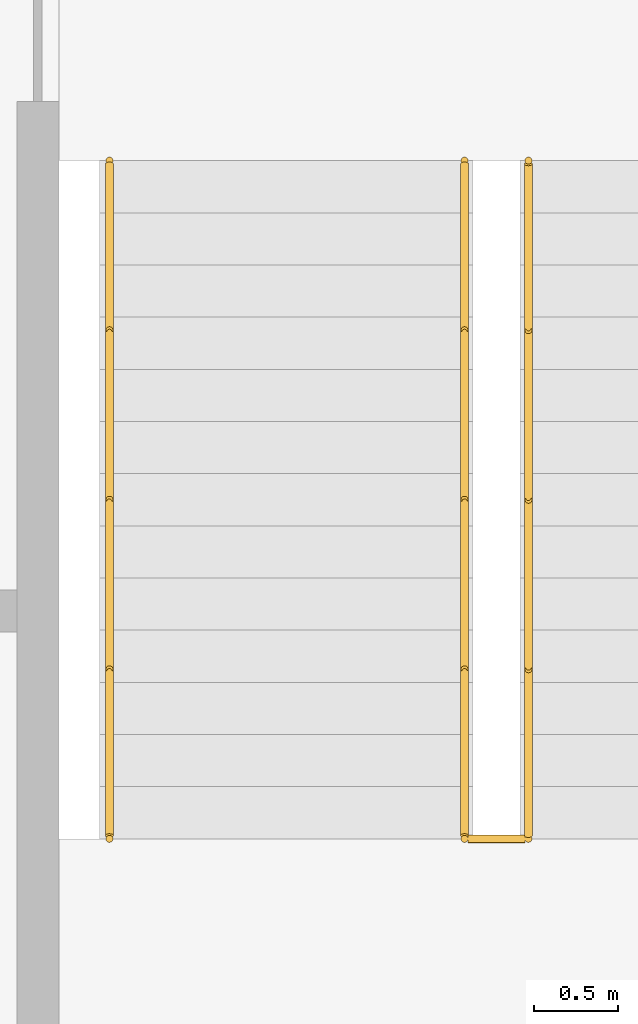
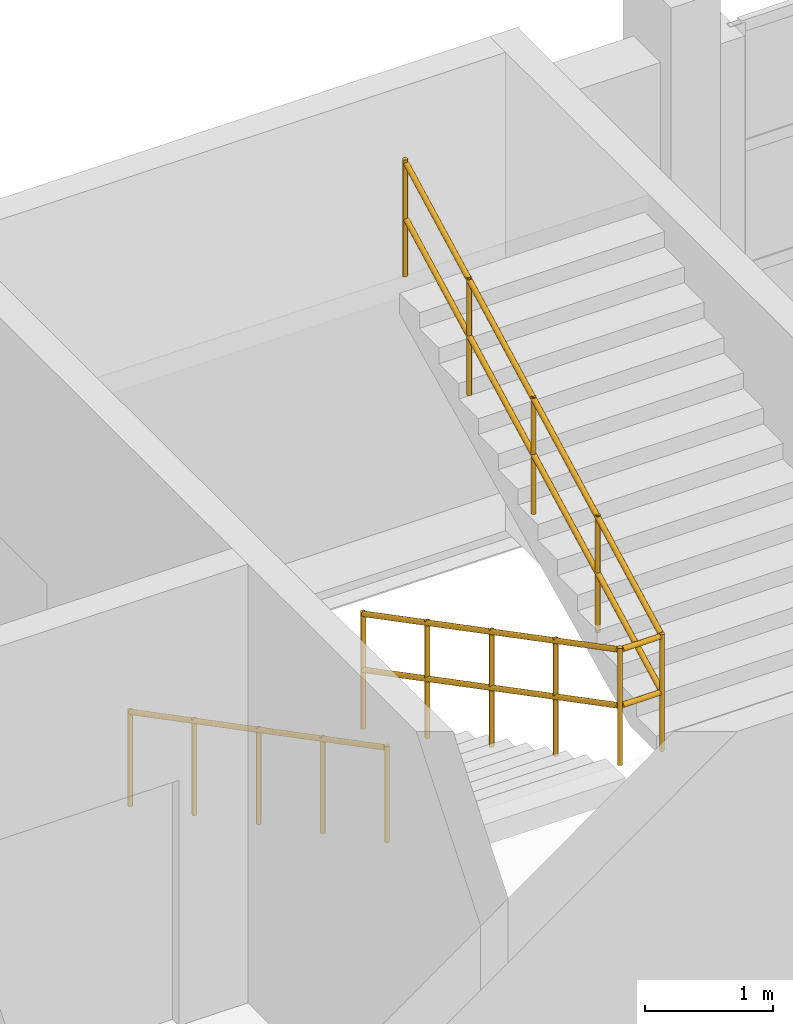
# One storey, part 147 of 147: 2 railings.
"""IFC4 building model written with IfcOpenShell, lengths in metres."""

import ifcopenshell
import ifcopenshell.guid

model = None  # the IFC model being written
_history = None  # IfcOwnerHistory: only IFC2X3 demands one
_inside = {}  # id of a spatial element -> (the spatial element, [elements in it])
_under = {}  # id of a project, library or spatial element -> (it, [spatial elements below it])
_declared = {}  # id of a project -> (the project, [libraries it declares])
_typed = {}  # id of a type object -> (the type object, [elements of that type])
_made_of = {}  # id of a material, layer set ... -> (it, [elements and type objects made of it])


def new_model(schema):
    """Start an empty IFC model of exactly this schema.

    Asked for "IFC4X3", IfcOpenShell would pick the latest addendum, in which some entities
    have other attributes; the version numbers below select the first issue.
    IFC2X3 requires an IfcOwnerHistory on every rooted entity: one is made here for all.
    """
    global model, _history
    if schema == "IFC4X3":
        model = ifcopenshell.file(schema_version=(4, 3, 0, 0))
    else:
        model = ifcopenshell.file(schema=schema)
    _inside.clear()
    _under.clear()
    _declared.clear()
    _typed.clear()
    _made_of.clear()
    _history = None
    if model.schema == "IFC2X3":
        org = make("IfcOrganization", Name="unknown")
        user = make(
            "IfcPersonAndOrganization",
            ThePerson=make("IfcPerson", FamilyName="unknown"),
            TheOrganization=org,
        )
        app = make(
            "IfcApplication",
            ApplicationDeveloper=org,
            Version="unknown",
            ApplicationFullName="unknown",
            ApplicationIdentifier="unknown",
        )
        _history = make(
            "IfcOwnerHistory",
            OwningUser=user,
            OwningApplication=app,
            ChangeAction="ADDED",
            CreationDate=0,
        )
    return model


def make(cls, **values):
    """One entity of the class cls with the attributes given. An attribute that is None is left unset."""
    return model.create_entity(
        cls, **{name: value for name, value in values.items() if value is not None}
    )


def rooted(cls, **values):
    """An entity with a GlobalId (a new one), such as an element, a storey or a relation."""
    return make(cls, GlobalId=ifcopenshell.guid.new(), OwnerHistory=_history, **values)


def si_unit(unit_type, name, prefix=None):
    """IfcSIUnit, for example si_unit("LENGTHUNIT", "METRE", prefix="MILLI")."""
    return make("IfcSIUnit", UnitType=unit_type, Prefix=prefix, Name=name)


def assignment(units):
    """IfcUnitAssignment: the units of a project."""
    return None if units is None else make("IfcUnitAssignment", Units=units)


def point(xyz):
    """IfcCartesianPoint."""
    return None if xyz is None else make("IfcCartesianPoint", Coordinates=xyz)


def direction(xyz):
    """IfcDirection."""
    return None if xyz is None else make("IfcDirection", DirectionRatios=xyz)


def frame(location, z_axis=None, x_axis=None):
    """IfcAxis2Placement3D, a coordinate frame: its origin and axes. An axis left out is left unset."""
    return make(
        "IfcAxis2Placement3D",
        Location=point(location),
        Axis=direction(z_axis),
        RefDirection=direction(x_axis),
    )


def frame_2d(location, x_axis=None):
    """IfcAxis2Placement2D, a coordinate frame in the plane: its origin and x axis."""
    return make(
        "IfcAxis2Placement2D", Location=point(location), RefDirection=direction(x_axis)
    )


def origin():
    """The frame at (0, 0, 0) with its axes left unset."""
    return frame((0.0, 0.0, 0.0))


def origin_2d():
    """The frame at (0, 0) in the plane with its x axis left unset."""
    return frame_2d((0.0, 0.0))


def place(relative_to, where):
    """IfcLocalPlacement: puts the frame where relative to a parent placement (None: the world)."""
    return make(
        "IfcLocalPlacement", PlacementRelTo=relative_to, RelativePlacement=where
    )


def context(
    kind, dimensions, precision=None, world=None, true_north=None, identifier=None
):
    """IfcGeometricRepresentationContext, for example the 3D "Model" context."""
    return make(
        "IfcGeometricRepresentationContext",
        ContextIdentifier=identifier,
        ContextType=kind,
        CoordinateSpaceDimension=dimensions,
        Precision=precision,
        WorldCoordinateSystem=world,
        TrueNorth=true_north,
    )


def subcontext(parent, identifier, kind, view, scale=None):
    """IfcGeometricRepresentationSubContext, for example "Body" below "Model"."""
    return make(
        "IfcGeometricRepresentationSubContext",
        ContextIdentifier=identifier,
        ContextType=kind,
        ParentContext=parent,
        TargetScale=scale,
        TargetView=view,
    )


def project(units=None, contexts=None):
    """IfcProject with its units and contexts."""
    return rooted(
        "IfcProject",
        Name="project",
        RepresentationContexts=contexts,
        UnitsInContext=assignment(units),
    )


def spatial(cls, under=None, at=None, **own):
    """A site, building, storey or space (cls), placed at a placement, below another one or the project."""
    s = rooted(cls, ObjectPlacement=at, **own)
    if under is not None:
        _under.setdefault(under.id(), (under, []))[1].append(s)
    return s


def profile(cls, at=None, kind="AREA", **sizes):
    """A parametric profile (cls). Its sizes go by their IFC names, for example OverallWidth=200.0."""
    return make(cls, ProfileType=kind, Position=at, **sizes)


def circle(**sizes):
    """IfcCircleProfileDef."""
    return profile("IfcCircleProfileDef", **sizes)


def extrude(swept, where, along, depth):
    """IfcExtrudedAreaSolid: the profile swept, set in the frame where, extruded along a direction by depth."""
    return make(
        "IfcExtrudedAreaSolid",
        SweptArea=swept,
        Position=where,
        ExtrudedDirection=direction(along),
        Depth=depth,
    )


def shape(context_of_items, identifier, shape_type, items):
    """IfcShapeRepresentation: the items that make up one representation, for example the "Body"."""
    return make(
        "IfcShapeRepresentation",
        ContextOfItems=context_of_items,
        RepresentationIdentifier=identifier,
        RepresentationType=shape_type,
        Items=items,
    )


def material(Name=None, Category=None):
    """IfcMaterial."""
    return make("IfcMaterial", Name=Name, Category=Category)


def made_of(thing, what):
    """Note that an element or type object is made of a material, layer set ...; save() writes the relation."""
    if what is not None:
        _made_of.setdefault(what.id(), (what, []))[1].append(thing)
    return thing


def type_object(cls, material=None, **own):
    """A type object (cls), such as IfcWallType, which elements share."""
    return made_of(rooted(cls, **own), material)


def element(
    cls,
    number,
    at=None,
    inside=None,
    cuts=None,
    type_object=None,
    material=None,
    context=None,
    identifier="Body",
    shape_type=None,
    held_by="IfcProductDefinitionShape",
    body=None,
    shapes=None,
    **own,
):
    """One element of the class cls, such as IfcWall. Its Tag is "e" and its number.

    at: its placement. inside: the storey or other place that contains it. cuts: it is an
    opening in that element (IfcRelVoidsElement). A single representation is given by context,
    identifier, shape_type and body (its items); several are given by shapes. held_by: the class
    of the entity that holds the representations. save() writes the other relations.
    """
    e = rooted(cls, Tag="e%d" % number, ObjectPlacement=at, **own)
    if body is not None:
        shapes = [shape(context, identifier, shape_type, body)]
    if shapes is not None:
        e.Representation = make(held_by, Representations=shapes)
    if inside is not None:
        _inside.setdefault(inside.id(), (inside, []))[1].append(e)
    if cuts is not None:
        rooted(
            "IfcRelVoidsElement", RelatingBuildingElement=cuts, RelatedOpeningElement=e
        )
    if type_object is not None:
        _typed.setdefault(type_object.id(), (type_object, []))[1].append(e)
    return made_of(e, material)


def aggregate(whole, parts):
    """IfcRelAggregates: a whole, such as a stair, and the parts it consists of."""
    return rooted("IfcRelAggregates", RelatingObject=whole, RelatedObjects=parts)


def save(model, path):
    """Write the relations noted so far, then the file.

    IfcRelAggregates (storeys below a building ...), IfcRelContainedInSpatialStructure (elements
    in a storey), IfcRelDefinesByType, IfcRelAssociatesMaterial and IfcRelDeclares: one each for
    every whole, place, type object, material and project.
    """
    for whole, parts in _under.values():
        aggregate(whole, parts)
    for where, things in _inside.values():
        rooted(
            "IfcRelContainedInSpatialStructure",
            RelatedElements=things,
            RelatingStructure=where,
        )
    for kind, things in _typed.values():
        rooted("IfcRelDefinesByType", RelatedObjects=things, RelatingType=kind)
    for what, things in _made_of.values():
        rooted("IfcRelAssociatesMaterial", RelatedObjects=things, RelatingMaterial=what)
    for by, libraries in _declared.values():
        rooted("IfcRelDeclares", RelatingContext=by, RelatedDefinitions=libraries)
    model.write(path)


model = new_model("IFC4")

# Units and contexts
model_context = context("Model", 3, precision=1e-05, world=origin(), true_north=direction((0.0, 1.0)))
body_context = subcontext(model_context, "Body", "Model", "MODEL_VIEW")
ifc_project = project(units=[si_unit("LENGTHUNIT", "METRE"), si_unit("AREAUNIT", "SQUARE_METRE"), si_unit("VOLUMEUNIT", "CUBIC_METRE"), si_unit("PLANEANGLEUNIT", "RADIAN"), si_unit("MASSUNIT", "GRAM", prefix="KILO")], contexts=[model_context])

# Site, building, storey
site_placement = place(None, origin())
site = spatial("IfcSite", under=ifc_project, at=site_placement, CompositionType="ELEMENT")
building_placement = place(site_placement, origin())
building = spatial("IfcBuilding", under=site, at=building_placement, Name="Zilviju Railside Exhibition Hall", CompositionType="ELEMENT")
storey_placement = place(building_placement, frame((0.0, 0.0, 8.39990234375)))
storey = spatial("IfcBuildingStorey", under=building, at=storey_placement, Name="L03", CompositionType="ELEMENT", Elevation=8.39990234375)

# Railings
ifc_material_1 = material(Name="Brushed bronze tubular stair handrail", Category="steel")
railing_type_1 = type_object("IfcRailingType", Name="RL-HANDRAIL-920", PredefinedType="HANDRAIL", material=ifc_material_1)
railing_1_placement = place(storey_placement, frame((197.64990234375, 135.5, 0.0)))
element("IfcRailing", 1, at=railing_1_placement, inside=storey, type_object=railing_type_1, Name="Core C08 North Hall Rail East Stair Wall Handrail L03", PredefinedType="HANDRAIL", context=body_context, shape_type="SweptSolid", body=[
    extrude(circle(Radius=0.02392578125, at=origin_2d()), frame((0.0, -0.019287109375, 0.906005859375), z_axis=(0.0, -0.88681272381, 0.462128978628), x_axis=(1.0, 0.0, 0.0)), (0.0, 0.0, 1.0), 4.500732421875),
    extrude(circle(Radius=0.02099609375, at=origin_2d()), origin(), (0.0, 0.0, 1.0), 0.919921875),
    extrude(circle(Radius=0.02099609375, at=origin_2d()), frame((0.0, -1.007568359375, 0.52490234375)), (0.0, 0.0, 1.0), 0.919921875),
    extrude(circle(Radius=0.02099609375, at=origin_2d()), frame((0.0, -2.01513671875, 1.050048828125)), (0.0, 0.0, 1.0), 0.919921875),
    extrude(circle(Radius=0.02099609375, at=origin_2d()), frame((0.0, -3.0224609375, 1.5751953125)), (0.0, 0.0, 1.0), 0.919921875),
    extrude(circle(Radius=0.02099609375, at=origin_2d()), frame((0.0, -4.030029296875, 2.10009765625)), (0.0, 0.0, 1.0), 0.919921875),
])
ifc_material_2 = material(Name="Wrought-iron and laminated-glass atrium guardrail", Category="glass")
railing_type_2 = type_object("IfcRailingType", Name="RL-INT-GUARD-1120", PredefinedType="GUARDRAIL", material=ifc_material_2)
railing_2_placement = place(storey_placement, frame((199.760009765625, 135.5, 0.0)))
element("IfcRailing", 2, at=railing_2_placement, inside=storey, type_object=railing_type_2, Name="Core C08 North Hall Rail East Stair Well Guardrail L03", PredefinedType="GUARDRAIL", context=body_context, shape_type="SweptSolid", body=[
    extrude(circle(Radius=0.02392578125, at=origin_2d()), frame((0.0, -0.019287109375, 1.106201171875), z_axis=(0.0, -0.88681272381, 0.462128978628), x_axis=(1.0, 0.0, 0.0)), (0.0, 0.0, 1.0), 4.500732421875),
    extrude(circle(Radius=0.02392578125, at=origin_2d()), frame((0.0, -0.019287109375, 0.570068359375), z_axis=(0.0, -0.88681272381, 0.462128978628), x_axis=(1.0, 0.0, 0.0)), (0.0, 0.0, 1.0), 4.500732421875),
    extrude(circle(Radius=0.02392578125, at=origin_2d()), frame((0.021728515625, -4.030029296875, 3.1962890625), z_axis=(1.0, 0.0, 0.0), x_axis=(0.0, 1.0, 0.0)), (0.0, 0.0, 1.0), 0.336181640625),
    extrude(circle(Radius=0.02392578125, at=origin_2d()), frame((0.021728515625, -4.030029296875, 2.66015625), z_axis=(1.0, 0.0, 0.0), x_axis=(0.0, 1.0, 0.0)), (0.0, 0.0, 1.0), 0.336181640625),
    extrude(circle(Radius=0.02392578125, at=origin_2d()), frame((0.3798828125, -4.0107421875, 3.206298828125), z_axis=(0.0, 0.88681272381, 0.462128978628), x_axis=(-1.0, 0.0, 0.0)), (0.0, 0.0, 1.0), 4.500732421875),
    extrude(circle(Radius=0.02392578125, at=origin_2d()), frame((0.3798828125, -4.0107421875, 2.670166015625), z_axis=(0.0, 0.88681272381, 0.462128978628), x_axis=(-1.0, 0.0, 0.0)), (0.0, 0.0, 1.0), 4.500732421875),
    extrude(circle(Radius=0.02099609375, at=origin_2d()), origin(), (0.0, 0.0, 1.0), 1.1201171875),
    extrude(circle(Radius=0.02099609375, at=origin_2d()), frame((0.0, -1.007568359375, 0.52490234375)), (0.0, 0.0, 1.0), 1.1201171875),
    extrude(circle(Radius=0.02099609375, at=origin_2d()), frame((0.0, -2.01513671875, 1.050048828125)), (0.0, 0.0, 1.0), 1.1201171875),
    extrude(circle(Radius=0.02099609375, at=origin_2d()), frame((0.0, -3.0224609375, 1.5751953125)), (0.0, 0.0, 1.0), 1.1201171875),
    extrude(circle(Radius=0.02099609375, at=origin_2d()), frame((0.0, -4.030029296875, 2.10009765625)), (0.0, 0.0, 1.0), 1.1201171875),
    extrude(circle(Radius=0.02099609375, at=origin_2d()), frame((0.3798828125, -4.030029296875, 2.10009765625)), (0.0, 0.0, 1.0), 1.1201171875),
    extrude(circle(Radius=0.02099609375, at=origin_2d()), frame((0.3798828125, -3.0224609375, 2.625)), (0.0, 0.0, 1.0), 1.1201171875),
    extrude(circle(Radius=0.02099609375, at=origin_2d()), frame((0.3798828125, -2.01513671875, 3.150146484375)), (0.0, 0.0, 1.0), 1.1201171875),
    extrude(circle(Radius=0.02099609375, at=origin_2d()), frame((0.3798828125, -1.007568359375, 3.67529296875)), (0.0, 0.0, 1.0), 1.1201171875),
    extrude(circle(Radius=0.02099609375, at=origin_2d()), frame((0.3798828125, 0.0, 4.2001953125)), (0.0, 0.0, 1.0), 1.1201171875),
])

save(model, "model.ifc")
